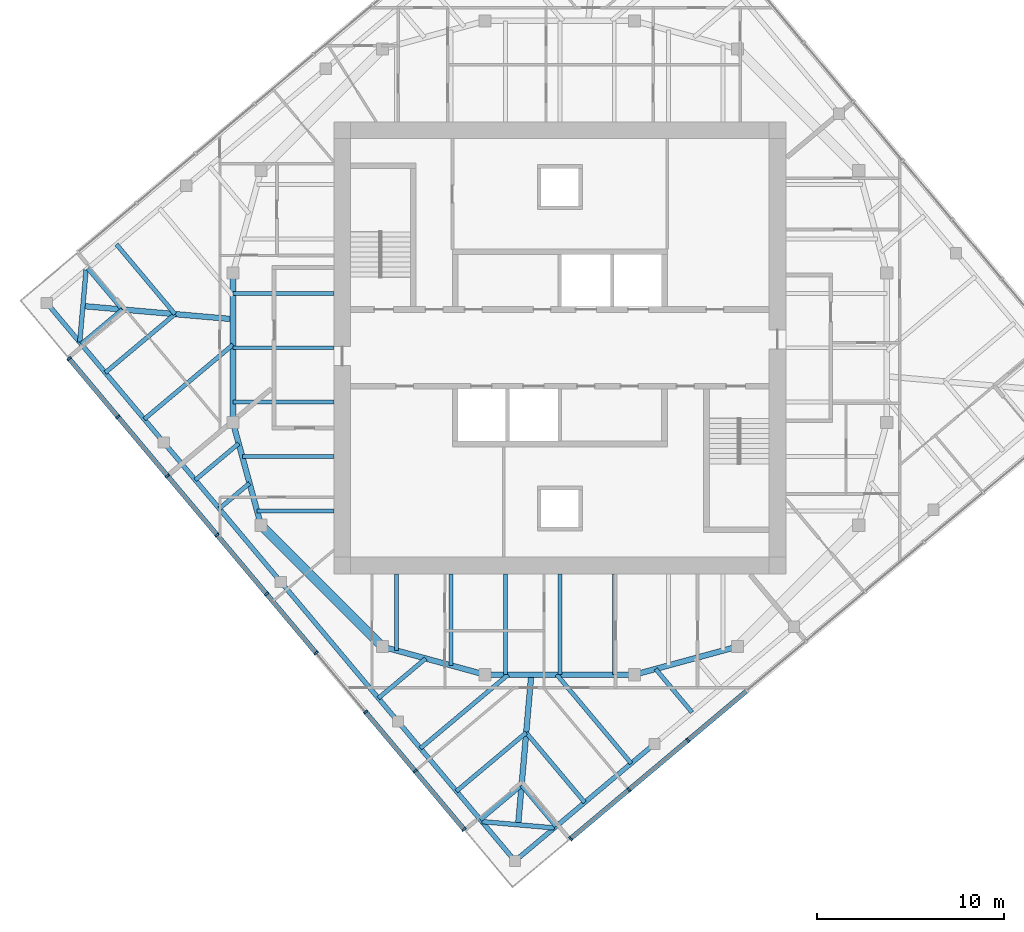
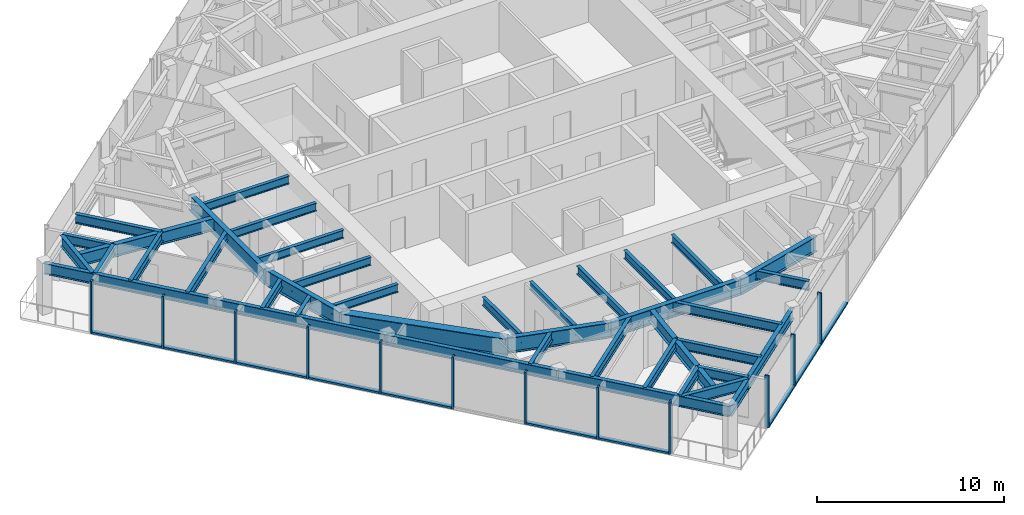
# One storey, part 2 of 12: 40 beams, 22 members, 2 elements without a shape of their own.
"""IFC4 building model written with IfcOpenShell, lengths in metres."""

from ifc_helpers import new_model, si_unit, direction, frame, origin, origin_2d, place, context, subcontext, project, spatial, rectangle, i_section, extrude, material, material_profile, profile_set, type_object, element, aggregate, save


model = new_model("IFC4")

# Units and contexts
model_context = context("Model", 3, precision=1e-05, world=origin(), true_north=direction((0.0, 1.0)))
body_context = subcontext(model_context, "Body", "Model", "MODEL_VIEW")
ifc_project = project(units=[si_unit("LENGTHUNIT", "METRE"), si_unit("AREAUNIT", "SQUARE_METRE"), si_unit("VOLUMEUNIT", "CUBIC_METRE"), si_unit("PLANEANGLEUNIT", "RADIAN"), si_unit("MASSUNIT", "GRAM", prefix="KILO")], contexts=[model_context])

# Site, building, storey
site_placement = place(None, origin())
site = spatial("IfcSite", under=ifc_project, at=site_placement, CompositionType="ELEMENT")
building_placement = place(site_placement, origin())
building = spatial("IfcBuilding", under=site, at=building_placement, Name="Torsade Residences", CompositionType="ELEMENT")
storey_placement = place(building_placement, frame((0.0, 0.0, 296.39990234375)))
storey = spatial("IfcBuildingStorey", under=building, at=storey_placement, Name="L82", CompositionType="ELEMENT", Elevation=296.39990234375)

# Beams
ifc_material_1 = material(Name="Steel grade 300", Category="steel")
ifc_material_profile_1 = material_profile(ifc_material_1, i_section(OverallWidth=0.300048828125, OverallDepth=0.800048828125, WebThickness=0.010009765625, FlangeThickness=0.02001953125, at=origin_2d()), Name="800WB146")
ifc_profile_set_1 = profile_set([ifc_material_profile_1], Name="Steel grade 300")
beam_type_1 = type_object("IfcBeamType", Name="CORNER GIRDER 800WB146", PredefinedType="BEAM", material=ifc_profile_set_1)
for number, where, z_axis, x_axis, name in (
    (1, (37.765869140625, 4.46484375, 2.800048828125), (0.087172957961, 0.996193191806, 0.0), (-0.996193191806, 0.087172957961, 0.0), "Corner girder 01 L83"),
    (2, (14.46484375, 32.234130859375, 2.800048828125), (0.996193191806, -0.087172957961, 0.0), (0.087172957961, 0.996193191806, 0.0), "Corner girder 13 L83"),
):
    element("IfcBeam", number, at=place(storey_placement, frame(where, z_axis=z_axis, x_axis=x_axis)), inside=storey, type_object=beam_type_1, Name=name, PredefinedType="BEAM", context=body_context, shape_type="SweptSolid", body=[
        extrude(i_section(OverallWidth=0.300048828125, OverallDepth=0.800048828125, WebThickness=0.010009765625, FlangeThickness=0.02001953125, at=origin_2d()), origin(), (0.0, 0.0, 1.0), 8.06591796875),
    ])
ifc_material_2 = material(Name="Steel grade 300", Category="steel")
ifc_material_profile_2 = material_profile(ifc_material_2, i_section(OverallWidth=0.25, OverallDepth=0.699951171875, WebThickness=0.010009765625, FlangeThickness=0.02001953125, at=origin_2d()), Name="700WB130")
ifc_profile_set_2 = profile_set([ifc_material_profile_2], Name="Steel grade 300")
beam_type_2 = type_object("IfcBeamType", Name="CORNER TRIMMER 700WB130", PredefinedType="BEAM", material=ifc_profile_set_2)
for number, where, z_axis, x_axis, name in (
    (3, (39.703125, 4.29541015625, 2.85009765625), (-0.996196646947, 0.087133464362, 0.0), (-0.087133464362, -0.996196646947, 0.0), "Corner trimmer 01 L83"),
    (4, (14.29541015625, 30.296875, 2.85009765625), (0.087133464362, 0.996196646947, 0.0), (-0.996196646947, 0.087133464362, 0.0), "Corner trimmer 13 L83"),
):
    element("IfcBeam", number, at=place(storey_placement, frame(where, z_axis=z_axis, x_axis=x_axis)), inside=storey, type_object=beam_type_2, Name=name, PredefinedType="BEAM", context=body_context, shape_type="SweptSolid", body=[
        extrude(i_section(OverallWidth=0.25, OverallDepth=0.699951171875, WebThickness=0.010009765625, FlangeThickness=0.02001953125, at=origin_2d()), origin(), (0.0, 0.0, 1.0), 3.88916015625),
    ])
ifc_material_3 = material(Name="Steel grade 300", Category="steel")
ifc_material_profile_3 = material_profile(ifc_material_3, i_section(OverallWidth=0.25, OverallDepth=0.699951171875, WebThickness=0.010009765625, FlangeThickness=0.02001953125, at=origin_2d()), Name="700WB130")
ifc_profile_set_3 = profile_set([ifc_material_profile_3], Name="Steel grade 300")
beam_type_3 = type_object("IfcBeamType", Name="EDGE BEAM 700WB130", PredefinedType="SPANDREL", material=ifc_profile_set_3)
for number, where, z_axis, x_axis, name in (
    (5, (37.596435546875, 2.52783203125, 2.85009765625), (0.766051532934, 0.642779160279, 0.0), (-0.642779160279, 0.766051532934, 0.0), "Edge beam 01 L83"),
    (6, (12.52783203125, 32.403564453125, 2.85009765625), (0.642779160279, -0.766051532934, 0.0), (0.766051532934, 0.642779160279, 0.0), "Edge beam 13 L83"),
    (7, (18.794921875, 24.9345703125, 2.85009765625), (0.642779160279, -0.766051532934, 0.0), (0.766051532934, 0.642779160279, 0.0), "Edge beam 14 L83"),
    (8, (25.06201171875, 17.465576171875, 2.85009765625), (0.642806184154, -0.766028856906, 0.0), (0.766028856906, 0.642806184154, 0.0), "Edge beam 15 L83"),
    (9, (31.329345703125, 9.996826171875, 2.85009765625), (0.642779160279, -0.766051532934, 0.0), (0.766051532934, 0.642779160279, 0.0), "Edge beam 16 L83"),
):
    element("IfcBeam", number, at=place(storey_placement, frame(where, z_axis=z_axis, x_axis=x_axis)), inside=storey, type_object=beam_type_3, Name=name, PredefinedType="SPANDREL", context=body_context, shape_type="SweptSolid", body=[
        extrude(i_section(OverallWidth=0.25, OverallDepth=0.699951171875, WebThickness=0.010009765625, FlangeThickness=0.02001953125, at=origin_2d()), origin(), (0.0, 0.0, 1.0), 9.75),
    ])

# Curtain wall, members
ifc_material_4 = material(Name="Aluminium and glass", Category="aluminium")
curtain_wall_type = type_object("IfcCurtainWallType", Name="FRITTED GLASS CURTAIN WALL HIGH ZONE", PredefinedType="NOTDEFINED", material=ifc_material_4)
curtain_wall_1_placement = place(storey_placement, origin())
curtain_wall_1 = element("IfcCurtainWall", 10, at=curtain_wall_1_placement, inside=storey, type_object=curtain_wall_type, Name="Curtain wall L82 face 1", PredefinedType="NOTDEFINED")
ifc_material_5 = material(Name="Aluminium mullion", Category="aluminium")
ifc_material_profile_4 = material_profile(ifc_material_5, rectangle(XDim=0.25, YDim=0.10009765625, at=origin_2d()), Name="HIGH ZONE CURTAIN WALL MULLION 250x100")
ifc_profile_set_4 = profile_set([ifc_material_profile_4], Name="Aluminium mullion")
member_type_1 = type_object("IfcMemberType", Name="HIGH ZONE CURTAIN WALL MULLION 250x100", PredefinedType="MULLION", material=ifc_profile_set_4)
member_1_placement = place(storey_placement, frame((40.57568359375, 3.72216796875, 0.0), z_axis=(0.0, 0.0, 1.0), x_axis=(-0.642787616853, 0.766044437106, 0.0)))
member_1 = element("IfcMember", 11, at=member_1_placement, type_object=member_type_1, Name="Mullion 1", PredefinedType="MULLION", context=body_context, shape_type="SweptSolid", body=[
    extrude(rectangle(XDim=0.25, YDim=0.10009765625, at=origin_2d()), origin(), (0.0, 0.0, 1.0), 3.400146484375),
])
member_2_placement = place(storey_placement, frame((43.697265625, 6.341552734375, 0.0), z_axis=(0.0, 0.0, 1.0), x_axis=(-0.642787616853, 0.766044437106, 0.0)))
member_2 = element("IfcMember", 12, at=member_2_placement, type_object=member_type_1, Name="Mullion 2", PredefinedType="MULLION", context=body_context, shape_type="SweptSolid", body=[
    extrude(rectangle(XDim=0.25, YDim=0.10009765625, at=origin_2d()), origin(), (0.0, 0.0, 1.0), 3.400146484375),
])
member_3_placement = place(storey_placement, frame((46.857177734375, 8.9931640625, 0.0), z_axis=(0.0, 0.0, 1.0), x_axis=(-0.642787616853, 0.766044437106, 0.0)))
member_3 = element("IfcMember", 13, at=member_3_placement, type_object=member_type_1, Name="Mullion 3", PredefinedType="MULLION", context=body_context, shape_type="SweptSolid", body=[
    extrude(rectangle(XDim=0.25, YDim=0.10009765625, at=origin_2d()), origin(), (0.0, 0.0, 1.0), 3.400146484375),
])

curtain_wall_2_placement = place(storey_placement, origin())
curtain_wall_2 = element("IfcCurtainWall", 14, at=curtain_wall_2_placement, inside=storey, type_object=curtain_wall_type, Name="Curtain wall L82 face 10", PredefinedType="NOTDEFINED")
member_4_placement = place(storey_placement, frame((13.72216796875, 29.42431640625, 0.0), z_axis=(0.0, 0.0, 1.0), x_axis=(0.766044437106, 0.642787616853, 0.0)))
member_4 = element("IfcMember", 15, at=member_4_placement, type_object=member_type_1, Name="Mullion 1", PredefinedType="MULLION", context=body_context, shape_type="SweptSolid", body=[
    extrude(rectangle(XDim=0.25, YDim=0.10009765625, at=origin_2d()), origin(), (0.0, 0.0, 1.0), 3.400146484375),
])
member_5_placement = place(storey_placement, frame((16.341552734375, 26.302734375, 0.0), z_axis=(0.0, 0.0, 1.0), x_axis=(0.766044437106, 0.642787616853, 0.0)))
member_5 = element("IfcMember", 16, at=member_5_placement, type_object=member_type_1, Name="Mullion 2", PredefinedType="MULLION", context=body_context, shape_type="SweptSolid", body=[
    extrude(rectangle(XDim=0.25, YDim=0.10009765625, at=origin_2d()), origin(), (0.0, 0.0, 1.0), 3.400146484375),
])
member_6_placement = place(storey_placement, frame((18.9931640625, 23.142822265625, 0.0), z_axis=(0.0, 0.0, 1.0), x_axis=(0.766044437106, 0.642787616853, 0.0)))
member_6 = element("IfcMember", 17, at=member_6_placement, type_object=member_type_1, Name="Mullion 3", PredefinedType="MULLION", context=body_context, shape_type="SweptSolid", body=[
    extrude(rectangle(XDim=0.25, YDim=0.10009765625, at=origin_2d()), origin(), (0.0, 0.0, 1.0), 3.400146484375),
])
member_7_placement = place(storey_placement, frame((21.64453125, 19.982666015625, 0.0), z_axis=(0.0, 0.0, 1.0), x_axis=(0.766044437106, 0.642787616853, 0.0)))
member_7 = element("IfcMember", 18, at=member_7_placement, type_object=member_type_1, Name="Mullion 4", PredefinedType="MULLION", context=body_context, shape_type="SweptSolid", body=[
    extrude(rectangle(XDim=0.25, YDim=0.10009765625, at=origin_2d()), origin(), (0.0, 0.0, 1.0), 3.400146484375),
])
member_8_placement = place(storey_placement, frame((24.296142578125, 16.82275390625, 0.0), z_axis=(0.0, 0.0, 1.0), x_axis=(0.766044437106, 0.642787616853, 0.0)))
member_8 = element("IfcMember", 19, at=member_8_placement, type_object=member_type_1, Name="Mullion 5", PredefinedType="MULLION", context=body_context, shape_type="SweptSolid", body=[
    extrude(rectangle(XDim=0.25, YDim=0.10009765625, at=origin_2d()), origin(), (0.0, 0.0, 1.0), 3.400146484375),
])
member_9_placement = place(storey_placement, frame((26.947509765625, 13.662841796875, 0.0), z_axis=(0.0, 0.0, 1.0), x_axis=(0.766044437106, 0.642787616853, 0.0)))
member_9 = element("IfcMember", 20, at=member_9_placement, type_object=member_type_1, Name="Mullion 6", PredefinedType="MULLION", context=body_context, shape_type="SweptSolid", body=[
    extrude(rectangle(XDim=0.25, YDim=0.10009765625, at=origin_2d()), origin(), (0.0, 0.0, 1.0), 3.400146484375),
])
member_10_placement = place(storey_placement, frame((29.59912109375, 10.5029296875, 0.0), z_axis=(0.0, 0.0, 1.0), x_axis=(0.766044437106, 0.642787616853, 0.0)))
member_10 = element("IfcMember", 21, at=member_10_placement, type_object=member_type_1, Name="Mullion 7", PredefinedType="MULLION", context=body_context, shape_type="SweptSolid", body=[
    extrude(rectangle(XDim=0.25, YDim=0.10009765625, at=origin_2d()), origin(), (0.0, 0.0, 1.0), 3.400146484375),
])
member_11_placement = place(storey_placement, frame((32.25048828125, 7.343017578125, 0.0), z_axis=(0.0, 0.0, 1.0), x_axis=(0.766044437106, 0.642787616853, 0.0)))
member_11 = element("IfcMember", 22, at=member_11_placement, type_object=member_type_1, Name="Mullion 8", PredefinedType="MULLION", context=body_context, shape_type="SweptSolid", body=[
    extrude(rectangle(XDim=0.25, YDim=0.10009765625, at=origin_2d()), origin(), (0.0, 0.0, 1.0), 3.400146484375),
])
member_12_placement = place(storey_placement, frame((34.869873046875, 4.221435546875, 0.0), z_axis=(0.0, 0.0, 1.0), x_axis=(0.766044437106, 0.642787616853, 0.0)))
member_12 = element("IfcMember", 23, at=member_12_placement, type_object=member_type_1, Name="Mullion 9", PredefinedType="MULLION", context=body_context, shape_type="SweptSolid", body=[
    extrude(rectangle(XDim=0.25, YDim=0.10009765625, at=origin_2d()), origin(), (0.0, 0.0, 1.0), 3.400146484375),
])

# Member
ifc_material_6 = material(Name="Aluminium transom", Category="aluminium")
ifc_material_profile_5 = material_profile(ifc_material_6, rectangle(XDim=0.25, YDim=0.1201171875, at=origin_2d()), Name="HIGH ZONE CURTAIN WALL TRANSOM 250x120")
ifc_profile_set_5 = profile_set([ifc_material_profile_5], Name="Aluminium transom")
member_type_2 = type_object("IfcMemberType", Name="HIGH ZONE CURTAIN WALL TRANSOM 250x120", PredefinedType="USERDEFINED", material=ifc_profile_set_5)
member_13_placement = place(storey_placement, frame((40.614013671875, 3.75439453125, 0.06005859375), z_axis=(0.766021778456, 0.642814619413, 0.0), x_axis=(-0.642814619413, 0.766021778456, 0.0)))
member_13 = element("IfcMember", 24, at=member_13_placement, type_object=member_type_2, Name="Transom 1.1", ObjectType="TRANSOM", PredefinedType="USERDEFINED", context=body_context, shape_type="SweptSolid", body=[
    extrude(rectangle(XDim=0.25, YDim=0.1201171875, at=origin_2d()), origin(), (0.0, 0.0, 1.0), 3.97509765625),
])

member_14_placement = place(storey_placement, frame((43.735595703125, 6.373779296875, 0.06005859375), z_axis=(0.766069182322, 0.6427581255, 0.0), x_axis=(-0.6427581255, 0.766069182322, 0.0)))
member_14 = element("IfcMember", 25, at=member_14_placement, type_object=member_type_2, Name="Transom 2.1", ObjectType="TRANSOM", PredefinedType="USERDEFINED", context=body_context, shape_type="SweptSolid", body=[
    extrude(rectangle(XDim=0.25, YDim=0.1201171875, at=origin_2d()), origin(), (0.0, 0.0, 1.0), 4.025146484375),
])

member_15_placement = place(storey_placement, frame((46.8955078125, 9.025146484375, 0.06005859375), z_axis=(0.766039316443, 0.642793719372, 0.0), x_axis=(-0.642793719372, 0.766039316443, 0.0)))
member_15 = element("IfcMember", 26, at=member_15_placement, type_object=member_type_2, Name="Transom 3.1", ObjectType="TRANSOM", PredefinedType="USERDEFINED", context=body_context, shape_type="SweptSolid", body=[
    extrude(rectangle(XDim=0.25, YDim=0.1201171875, at=origin_2d()), origin(), (0.0, 0.0, 1.0), 4.025146484375),
])

aggregate(curtain_wall_1, [member_1, member_2, member_3, member_13, member_14, member_15])

member_16_placement = place(storey_placement, frame((13.75439453125, 29.385986328125, 0.06005859375), z_axis=(0.642814619413, -0.766021778456, 0.0), x_axis=(0.766021778456, 0.642814619413, 0.0)))
member_16 = element("IfcMember", 27, at=member_16_placement, type_object=member_type_2, Name="Transom 1.1", ObjectType="TRANSOM", PredefinedType="USERDEFINED", context=body_context, shape_type="SweptSolid", body=[
    extrude(rectangle(XDim=0.25, YDim=0.1201171875, at=origin_2d()), origin(), (0.0, 0.0, 1.0), 3.97509765625),
])

member_17_placement = place(storey_placement, frame((16.373779296875, 26.264404296875, 0.06005859375), z_axis=(0.6427581255, -0.766069182322, 0.0), x_axis=(0.766069182322, 0.6427581255, 0.0)))
member_17 = element("IfcMember", 28, at=member_17_placement, type_object=member_type_2, Name="Transom 2.1", ObjectType="TRANSOM", PredefinedType="USERDEFINED", context=body_context, shape_type="SweptSolid", body=[
    extrude(rectangle(XDim=0.25, YDim=0.1201171875, at=origin_2d()), origin(), (0.0, 0.0, 1.0), 4.025146484375),
])

member_18_placement = place(storey_placement, frame((19.025146484375, 23.1044921875, 0.06005859375), z_axis=(0.642793719372, -0.766039316443, 0.0), x_axis=(0.766039316443, 0.642793719372, 0.0)))
member_18 = element("IfcMember", 29, at=member_18_placement, type_object=member_type_2, Name="Transom 3.1", ObjectType="TRANSOM", PredefinedType="USERDEFINED", context=body_context, shape_type="SweptSolid", body=[
    extrude(rectangle(XDim=0.25, YDim=0.1201171875, at=origin_2d()), origin(), (0.0, 0.0, 1.0), 4.025146484375),
])

member_19_placement = place(storey_placement, frame((21.6767578125, 19.944580078125, 0.06005859375), z_axis=(0.6427581255, -0.766069182322, 0.0), x_axis=(0.766069182322, 0.6427581255, 0.0)))
member_19 = element("IfcMember", 30, at=member_19_placement, type_object=member_type_2, Name="Transom 4.1", ObjectType="TRANSOM", PredefinedType="USERDEFINED", context=body_context, shape_type="SweptSolid", body=[
    extrude(rectangle(XDim=0.25, YDim=0.1201171875, at=origin_2d()), origin(), (0.0, 0.0, 1.0), 4.025146484375),
])

member_20_placement = place(storey_placement, frame((24.328125, 16.78466796875, 0.06005859375), z_axis=(0.642793719372, -0.766039316443, 0.0), x_axis=(0.766039316443, 0.642793719372, 0.0)))
member_20 = element("IfcMember", 31, at=member_20_placement, type_object=member_type_2, Name="Transom 5.1", ObjectType="TRANSOM", PredefinedType="USERDEFINED", context=body_context, shape_type="SweptSolid", body=[
    extrude(rectangle(XDim=0.25, YDim=0.1201171875, at=origin_2d()), origin(), (0.0, 0.0, 1.0), 4.025146484375),
])

member_21_placement = place(storey_placement, frame((29.63134765625, 10.464599609375, 0.06005859375), z_axis=(0.642787992616, -0.766044121803, 0.0), x_axis=(0.766044121803, 0.642787992616, 0.0)))
member_21 = element("IfcMember", 32, at=member_21_placement, type_object=member_type_2, Name="Transom 7.1", ObjectType="TRANSOM", PredefinedType="USERDEFINED", context=body_context, shape_type="SweptSolid", body=[
    extrude(rectangle(XDim=0.25, YDim=0.1201171875, at=origin_2d()), origin(), (0.0, 0.0, 1.0), 4.02490234375),
])

member_22_placement = place(storey_placement, frame((32.28271484375, 7.3046875, 0.06005859375), z_axis=(0.642814619413, -0.766021778456, 0.0), x_axis=(0.766021778456, 0.642814619413, 0.0)))
member_22 = element("IfcMember", 33, at=member_22_placement, type_object=member_type_2, Name="Transom 8.1", ObjectType="TRANSOM", PredefinedType="USERDEFINED", context=body_context, shape_type="SweptSolid", body=[
    extrude(rectangle(XDim=0.25, YDim=0.1201171875, at=origin_2d()), origin(), (0.0, 0.0, 1.0), 3.97509765625),
])

aggregate(curtain_wall_2, [member_4, member_5, member_6, member_7, member_8, member_9, member_10, member_11, member_12, member_16, member_17, member_18, member_19, member_20, member_21, member_22])

# Beams
ifc_material_7 = material(Name="Steel grade 300", Category="steel")
ifc_material_profile_6 = material_profile(ifc_material_7, i_section(OverallWidth=0.208984375, OverallDepth=0.528076171875, WebThickness=0.009521484375, FlangeThickness=0.01318359375, FilletRadius=0.013916015625, at=origin_2d()), Name="530UB82.0")
ifc_profile_set_6 = profile_set([ifc_material_profile_6], Name="Steel grade 300")
beam_type_4 = type_object("IfcBeamType", Name="INNER FLOOR BEAM 530UB82.0", PredefinedType="JOIST", material=ifc_profile_set_6)
for number, where, z_axis, x_axis, name in (
    (34, (42.91259765625, 17.89990234375, 2.93603515625), (0.0, -1.0, 0.0), (1.0, 0.0, 0.0), "Inner floor beam IS03 L83"),
    (35, (40.0, 17.89990234375, 2.93603515625), (0.0, -1.0, 0.0), (1.0, 0.0, 0.0), "Inner floor beam IS04 L83"),
    (36, (37.08740234375, 17.89990234375, 2.93603515625), (0.0, -1.0, 0.0), (1.0, 0.0, 0.0), "Inner floor beam IS05 L83"),
):
    element("IfcBeam", number, at=place(storey_placement, frame(where, z_axis=z_axis, x_axis=x_axis)), inside=storey, type_object=beam_type_4, Name=name, PredefinedType="JOIST", context=body_context, shape_type="SweptSolid", body=[
        extrude(i_section(OverallWidth=0.208984375, OverallDepth=0.528076171875, WebThickness=0.009521484375, FlangeThickness=0.01318359375, FilletRadius=0.013916015625, at=origin_2d()), origin(), (0.0, 0.0, 1.0), 5.39990234375),
    ])
beam_1_placement = place(storey_placement, frame((34.175048828125, 17.89990234375, 2.93603515625), z_axis=(0.0, -1.0, 0.0), x_axis=(1.0, 0.0, 0.0)))
element("IfcBeam", 37, at=beam_1_placement, inside=storey, type_object=beam_type_4, Name="Inner floor beam IS06 L83", PredefinedType="JOIST", context=body_context, shape_type="SweptSolid", body=[
    extrude(i_section(OverallWidth=0.208984375, OverallDepth=0.528076171875, WebThickness=0.009521484375, FlangeThickness=0.01318359375, FilletRadius=0.013916015625, at=origin_2d()), origin(), (0.0, 0.0, 1.0), 4.902099609375),
])
beam_2_placement = place(storey_placement, frame((31.262451171875, 17.89990234375, 2.93603515625), z_axis=(0.0, -1.0, 0.0), x_axis=(1.0, 0.0, 0.0)))
element("IfcBeam", 38, at=beam_2_placement, inside=storey, type_object=beam_type_4, Name="Inner floor beam IS07 L83", PredefinedType="JOIST", context=body_context, shape_type="SweptSolid", body=[
    extrude(i_section(OverallWidth=0.208984375, OverallDepth=0.528076171875, WebThickness=0.009521484375, FlangeThickness=0.01318359375, FilletRadius=0.013916015625, at=origin_2d()), origin(), (0.0, 0.0, 1.0), 4.10791015625),
])
for number, where, z_axis, x_axis, name in (
    (39, (27.89990234375, 32.91259765625, 2.93603515625), (-1.0, 0.0, 0.0), (0.0, -1.0, 0.0), "Inner floor beam IW03 L83"),
    (40, (27.89990234375, 30.0, 2.93603515625), (-1.0, 0.0, 0.0), (0.0, -1.0, 0.0), "Inner floor beam IW04 L83"),
    (41, (27.89990234375, 27.08740234375, 2.93603515625), (-1.0, 0.0, 0.0), (0.0, -1.0, 0.0), "Inner floor beam IW05 L83"),
):
    element("IfcBeam", number, at=place(storey_placement, frame(where, z_axis=z_axis, x_axis=x_axis)), inside=storey, type_object=beam_type_4, Name=name, PredefinedType="JOIST", context=body_context, shape_type="SweptSolid", body=[
        extrude(i_section(OverallWidth=0.208984375, OverallDepth=0.528076171875, WebThickness=0.009521484375, FlangeThickness=0.01318359375, FilletRadius=0.013916015625, at=origin_2d()), origin(), (0.0, 0.0, 1.0), 5.39990234375),
    ])
beam_3_placement = place(storey_placement, frame((27.89990234375, 24.175048828125, 2.93603515625), z_axis=(-1.0, 0.0, 0.0), x_axis=(0.0, -1.0, 0.0)))
element("IfcBeam", 42, at=beam_3_placement, inside=storey, type_object=beam_type_4, Name="Inner floor beam IW06 L83", PredefinedType="JOIST", context=body_context, shape_type="SweptSolid", body=[
    extrude(i_section(OverallWidth=0.208984375, OverallDepth=0.528076171875, WebThickness=0.009521484375, FlangeThickness=0.01318359375, FilletRadius=0.013916015625, at=origin_2d()), origin(), (0.0, 0.0, 1.0), 4.902099609375),
])
beam_4_placement = place(storey_placement, frame((27.89990234375, 21.262451171875, 2.93603515625), z_axis=(-1.0, 0.0, 0.0), x_axis=(0.0, -1.0, 0.0)))
element("IfcBeam", 43, at=beam_4_placement, inside=storey, type_object=beam_type_4, Name="Inner floor beam IW07 L83", PredefinedType="JOIST", context=body_context, shape_type="SweptSolid", body=[
    extrude(i_section(OverallWidth=0.208984375, OverallDepth=0.528076171875, WebThickness=0.009521484375, FlangeThickness=0.01318359375, FilletRadius=0.013916015625, at=origin_2d()), origin(), (0.0, 0.0, 1.0), 4.10791015625),
])
ifc_material_8 = material(Name="Steel grade 300", Category="steel")
ifc_material_profile_7 = material_profile(ifc_material_8, i_section(OverallWidth=0.5, OverallDepth=1.199951171875, WebThickness=0.01611328125, FlangeThickness=0.0400390625, at=origin_2d()), Name="1200WB455")
ifc_profile_set_7 = profile_set([ifc_material_profile_7], Name="Steel grade 300")
beam_type_5 = type_object("IfcBeamType", Name="RING CORNER GIRDER 1200WB455", PredefinedType="BEAM", material=ifc_profile_set_7)
beam_5_placement = place(storey_placement, frame((24.0, 20.5, 2.60009765625), z_axis=(0.707106781187, -0.707106781187, 0.0), x_axis=(0.707106781187, 0.707106781187, 0.0)))
element("IfcBeam", 44, at=beam_5_placement, inside=storey, type_object=beam_type_5, Name="Ring girder IR11 L83", PredefinedType="BEAM", context=body_context, shape_type="SweptSolid", body=[
    extrude(i_section(OverallWidth=0.5, OverallDepth=1.199951171875, WebThickness=0.01611328125, FlangeThickness=0.0400390625, at=origin_2d()), origin(), (0.0, 0.0, 1.0), 9.1923828125),
])
ifc_material_9 = material(Name="Steel grade 300", Category="steel")
ifc_material_profile_8 = material_profile(ifc_material_9, i_section(OverallWidth=0.300048828125, OverallDepth=1.0, WebThickness=0.01611328125, FlangeThickness=0.028076171875, at=origin_2d()), Name="1000WB215")
ifc_profile_set_8 = profile_set([ifc_material_profile_8], Name="Steel grade 300")
beam_type_6 = type_object("IfcBeamType", Name="RING GIRDER 1000WB215", PredefinedType="BEAM", material=ifc_profile_set_8)
beam_6_placement = place(storey_placement, frame((22.5, 34.0, 2.7001953125), z_axis=(0.0, -1.0, 0.0), x_axis=(1.0, 0.0, 0.0)))
element("IfcBeam", 45, at=beam_6_placement, inside=storey, type_object=beam_type_6, Name="Ring girder IR09 L83", PredefinedType="BEAM", context=body_context, shape_type="SweptSolid", body=[
    extrude(i_section(OverallWidth=0.300048828125, OverallDepth=1.0, WebThickness=0.01611328125, FlangeThickness=0.028076171875, at=origin_2d()), origin(), (0.0, 0.0, 1.0), 8.0),
])
for number, where, z_axis, x_axis, name in (
    (46, (22.5, 26.0, 2.7001953125), (0.263117405792, -0.964763821238, 0.0), (0.964763821238, 0.263117405792, 0.0), "Ring girder IR10 L83"),
    (47, (30.5, 14.0, 2.7001953125), (0.964763821238, -0.263117405792, 0.0), (0.263117405792, 0.964763821238, 0.0), "Ring girder IR12 L83"),
):
    element("IfcBeam", number, at=place(storey_placement, frame(where, z_axis=z_axis, x_axis=x_axis)), inside=storey, type_object=beam_type_6, Name=name, PredefinedType="BEAM", context=body_context, shape_type="SweptSolid", body=[
        extrude(i_section(OverallWidth=0.300048828125, OverallDepth=1.0, WebThickness=0.01611328125, FlangeThickness=0.028076171875, at=origin_2d()), origin(), (0.0, 0.0, 1.0), 5.700927734375),
    ])
beam_7_placement = place(storey_placement, frame((36.0, 12.5, 2.7001953125), z_axis=(1.0, 0.0, 0.0), x_axis=(0.0, 1.0, 0.0)))
element("IfcBeam", 48, at=beam_7_placement, inside=storey, type_object=beam_type_6, Name="Ring girder IR13 L83", PredefinedType="BEAM", context=body_context, shape_type="SweptSolid", body=[
    extrude(i_section(OverallWidth=0.300048828125, OverallDepth=1.0, WebThickness=0.01611328125, FlangeThickness=0.028076171875, at=origin_2d()), origin(), (0.0, 0.0, 1.0), 8.0),
])
beam_8_placement = place(storey_placement, frame((44.0, 12.5, 2.7001953125), z_axis=(0.964763821238, 0.263117405792, 0.0), x_axis=(-0.263117405792, 0.964763821238, 0.0)))
element("IfcBeam", 49, at=beam_8_placement, inside=storey, type_object=beam_type_6, Name="Ring girder IR14 L83", PredefinedType="BEAM", context=body_context, shape_type="SweptSolid", body=[
    extrude(i_section(OverallWidth=0.300048828125, OverallDepth=1.0, WebThickness=0.01611328125, FlangeThickness=0.028076171875, at=origin_2d()), origin(), (0.0, 0.0, 1.0), 5.700927734375),
])
ifc_material_10 = material(Name="Steel grade 300", Category="steel")
ifc_material_profile_9 = material_profile(ifc_material_10, i_section(OverallWidth=0.22900390625, OverallDepth=0.612060546875, WebThickness=0.011962890625, FlangeThickness=0.01953125, FilletRadius=0.013916015625, at=origin_2d()), Name="610UB125")
ifc_profile_set_9 = profile_set([ifc_material_profile_9], Name="Steel grade 300")
beam_type_7 = type_object("IfcBeamType", Name="SECONDARY BEAM 610UB125", PredefinedType="JOIST", material=ifc_profile_set_9)
beam_9_placement = place(storey_placement, frame((39.798828125, 4.375732421875, 2.89404296875), z_axis=(-0.642761807001, 0.766066093402, 0.0), x_axis=(-0.766066093402, -0.642761807001, 0.0)))
element("IfcBeam", 50, at=beam_9_placement, inside=storey, type_object=beam_type_7, Name="Floor beam FS01 L83", PredefinedType="JOIST", context=body_context, shape_type="SweptSolid", body=[
    extrude(i_section(OverallWidth=0.22900390625, OverallDepth=0.612060546875, WebThickness=0.011962890625, FlangeThickness=0.01953125, FilletRadius=0.013916015625, at=origin_2d()), origin(), (0.0, 0.0, 1.0), 2.875),
])
beam_10_placement = place(storey_placement, frame((41.3310546875, 5.661376953125, 2.89404296875), z_axis=(-0.642820877376, 0.766016526982, 0.0), x_axis=(-0.766016526982, -0.642820877376, 0.0)))
element("IfcBeam", 51, at=beam_10_placement, inside=storey, type_object=beam_type_7, Name="Floor beam FS02 L83", PredefinedType="JOIST", context=body_context, shape_type="SweptSolid", body=[
    extrude(i_section(OverallWidth=0.22900390625, OverallDepth=0.612060546875, WebThickness=0.011962890625, FlangeThickness=0.01953125, FilletRadius=0.013916015625, at=origin_2d()), origin(), (0.0, 0.0, 1.0), 4.875),
])
beam_11_placement = place(storey_placement, frame((43.820556640625, 7.75048828125, 2.89404296875), z_axis=(-0.642791209238, 0.766041422722, 0.0), x_axis=(-0.766041422722, -0.642791209238, 0.0)))
element("IfcBeam", 52, at=beam_11_placement, inside=storey, type_object=beam_type_7, Name="Floor beam FS03 L83", PredefinedType="JOIST", context=body_context, shape_type="SweptSolid", body=[
    extrude(i_section(OverallWidth=0.22900390625, OverallDepth=0.612060546875, WebThickness=0.011962890625, FlangeThickness=0.01953125, FilletRadius=0.013916015625, at=origin_2d()), origin(), (0.0, 0.0, 1.0), 6.199951171875),
])
beam_12_placement = place(storey_placement, frame((47.076171875, 10.482177734375, 2.89404296875), z_axis=(-0.64274480196, 0.766080361029, 0.0), x_axis=(-0.766080361029, -0.64274480196, 0.0)))
element("IfcBeam", 53, at=beam_12_placement, inside=storey, type_object=beam_type_7, Name="Floor beam FS04 L83", PredefinedType="JOIST", context=body_context, shape_type="SweptSolid", body=[
    extrude(i_section(OverallWidth=0.22900390625, OverallDepth=0.612060546875, WebThickness=0.011962890625, FlangeThickness=0.01953125, FilletRadius=0.013916015625, at=origin_2d()), origin(), (0.0, 0.0, 1.0), 3.03466796875),
])
beam_13_placement = place(storey_placement, frame((16.26220703125, 35.537109375, 2.89404296875), z_axis=(0.642791490223, -0.766041186946, 0.0), x_axis=(0.766041186946, 0.642791490223, 0.0)))
element("IfcBeam", 54, at=beam_13_placement, inside=storey, type_object=beam_type_7, Name="Floor beam FN11 L83", PredefinedType="JOIST", context=body_context, shape_type="SweptSolid", body=[
    extrude(i_section(OverallWidth=0.22900390625, OverallDepth=0.612060546875, WebThickness=0.011962890625, FlangeThickness=0.01953125, FilletRadius=0.013916015625, at=origin_2d()), origin(), (0.0, 0.0, 1.0), 4.875),
])
for number, where, z_axis, x_axis, name in (
    (55, (14.730224609375, 34.25146484375, 2.89404296875), (0.642761807001, -0.766066093402, 0.0), (0.766066093402, 0.642761807001, 0.0), "Floor beam FN12 L83"),
    (56, (14.375732421875, 30.201171875, 2.89404296875), (0.766066093402, 0.642761807001, 0.0), (-0.642761807001, 0.766066093402, 0.0), "Floor beam FW01 L83"),
):
    element("IfcBeam", number, at=place(storey_placement, frame(where, z_axis=z_axis, x_axis=x_axis)), inside=storey, type_object=beam_type_7, Name=name, PredefinedType="JOIST", context=body_context, shape_type="SweptSolid", body=[
        extrude(i_section(OverallWidth=0.22900390625, OverallDepth=0.612060546875, WebThickness=0.011962890625, FlangeThickness=0.01953125, FilletRadius=0.013916015625, at=origin_2d()), origin(), (0.0, 0.0, 1.0), 2.875),
    ])
beam_14_placement = place(storey_placement, frame((15.661376953125, 28.6689453125, 2.89404296875), z_axis=(0.766016526982, 0.642820877376, 0.0), x_axis=(-0.642820877376, 0.766016526982, 0.0)))
element("IfcBeam", 57, at=beam_14_placement, inside=storey, type_object=beam_type_7, Name="Floor beam FW02 L83", PredefinedType="JOIST", context=body_context, shape_type="SweptSolid", body=[
    extrude(i_section(OverallWidth=0.22900390625, OverallDepth=0.612060546875, WebThickness=0.011962890625, FlangeThickness=0.01953125, FilletRadius=0.013916015625, at=origin_2d()), origin(), (0.0, 0.0, 1.0), 4.875),
])
beam_15_placement = place(storey_placement, frame((17.75048828125, 26.179443359375, 2.89404296875), z_axis=(0.766041422722, 0.642791209238, 0.0), x_axis=(-0.642791209238, 0.766041422722, 0.0)))
element("IfcBeam", 58, at=beam_15_placement, inside=storey, type_object=beam_type_7, Name="Floor beam FW03 L83", PredefinedType="JOIST", context=body_context, shape_type="SweptSolid", body=[
    extrude(i_section(OverallWidth=0.22900390625, OverallDepth=0.612060546875, WebThickness=0.011962890625, FlangeThickness=0.01953125, FilletRadius=0.013916015625, at=origin_2d()), origin(), (0.0, 0.0, 1.0), 6.199951171875),
])
beam_16_placement = place(storey_placement, frame((20.482177734375, 22.923828125, 2.89404296875), z_axis=(0.766080361029, 0.64274480196, 0.0), x_axis=(-0.64274480196, 0.766080361029, 0.0)))
element("IfcBeam", 59, at=beam_16_placement, inside=storey, type_object=beam_type_7, Name="Floor beam FW04 L83", PredefinedType="JOIST", context=body_context, shape_type="SweptSolid", body=[
    extrude(i_section(OverallWidth=0.22900390625, OverallDepth=0.612060546875, WebThickness=0.011962890625, FlangeThickness=0.01953125, FilletRadius=0.013916015625, at=origin_2d()), origin(), (0.0, 0.0, 1.0), 3.03466796875),
])
beam_17_placement = place(storey_placement, frame((21.767822265625, 21.3916015625, 2.89404296875), z_axis=(0.766057560226, 0.642771977004, 0.0), x_axis=(-0.642771977004, 0.766057560226, 0.0)))
element("IfcBeam", 60, at=beam_17_placement, inside=storey, type_object=beam_type_7, Name="Floor beam FW05 L83", PredefinedType="JOIST", context=body_context, shape_type="SweptSolid", body=[
    extrude(i_section(OverallWidth=0.22900390625, OverallDepth=0.612060546875, WebThickness=0.011962890625, FlangeThickness=0.01953125, FilletRadius=0.013916015625, at=origin_2d()), origin(), (0.0, 0.0, 1.0), 2.113037109375),
])
beam_18_placement = place(storey_placement, frame((30.28466796875, 11.241455078125, 2.89404296875), z_axis=(0.766044990879, 0.642786956891, 0.0), x_axis=(-0.642786956891, 0.766044990879, 0.0)))
element("IfcBeam", 61, at=beam_18_placement, inside=storey, type_object=beam_type_7, Name="Floor beam FW09 L83", PredefinedType="JOIST", context=body_context, shape_type="SweptSolid", body=[
    extrude(i_section(OverallWidth=0.22900390625, OverallDepth=0.612060546875, WebThickness=0.011962890625, FlangeThickness=0.01953125, FilletRadius=0.013916015625, at=origin_2d()), origin(), (0.0, 0.0, 1.0), 3.307861328125),
])
beam_19_placement = place(storey_placement, frame((32.534423828125, 8.560302734375, 2.89404296875), z_axis=(0.766039049329, 0.642794037701, 0.0), x_axis=(-0.642794037701, 0.766039049329, 0.0)))
element("IfcBeam", 62, at=beam_19_placement, inside=storey, type_object=beam_type_7, Name="Floor beam FW10 L83", PredefinedType="JOIST", context=body_context, shape_type="SweptSolid", body=[
    extrude(i_section(OverallWidth=0.22900390625, OverallDepth=0.612060546875, WebThickness=0.011962890625, FlangeThickness=0.01953125, FilletRadius=0.013916015625, at=origin_2d()), origin(), (0.0, 0.0, 1.0), 6.12890625),
])
beam_20_placement = place(storey_placement, frame((34.462890625, 6.26220703125, 2.89404296875), z_axis=(0.766041186946, 0.642791490223, 0.0), x_axis=(-0.642791490223, 0.766041186946, 0.0)))
element("IfcBeam", 63, at=beam_20_placement, inside=storey, type_object=beam_type_7, Name="Floor beam FW11 L83", PredefinedType="JOIST", context=body_context, shape_type="SweptSolid", body=[
    extrude(i_section(OverallWidth=0.22900390625, OverallDepth=0.612060546875, WebThickness=0.011962890625, FlangeThickness=0.01953125, FilletRadius=0.013916015625, at=origin_2d()), origin(), (0.0, 0.0, 1.0), 4.875),
])
beam_21_placement = place(storey_placement, frame((35.74853515625, 4.730224609375, 2.89404296875), z_axis=(0.766066093402, 0.642761807001, 0.0), x_axis=(-0.642761807001, 0.766066093402, 0.0)))
element("IfcBeam", 64, at=beam_21_placement, inside=storey, type_object=beam_type_7, Name="Floor beam FW12 L83", PredefinedType="JOIST", context=body_context, shape_type="SweptSolid", body=[
    extrude(i_section(OverallWidth=0.22900390625, OverallDepth=0.612060546875, WebThickness=0.011962890625, FlangeThickness=0.01953125, FilletRadius=0.013916015625, at=origin_2d()), origin(), (0.0, 0.0, 1.0), 2.875),
])

save(model, "model.ifc")
